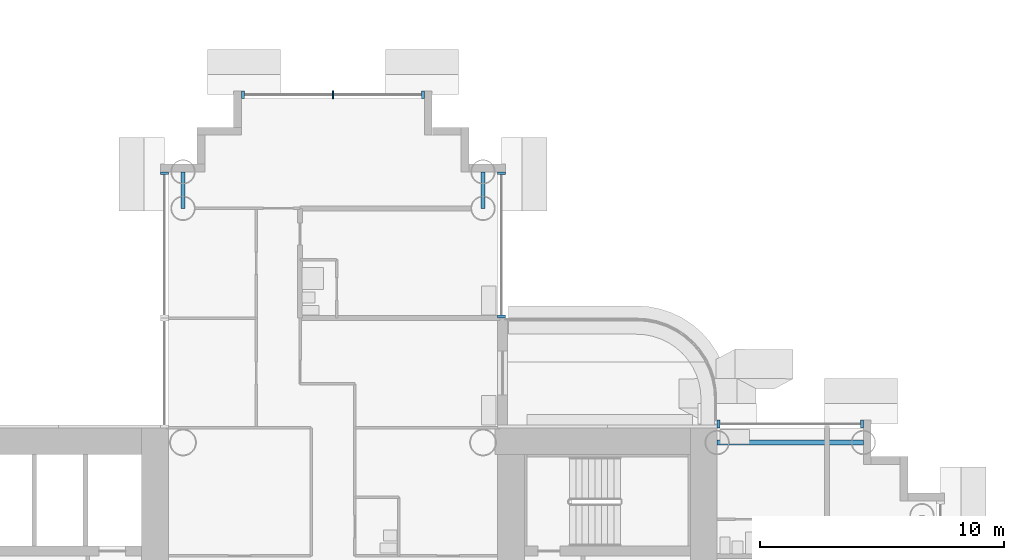
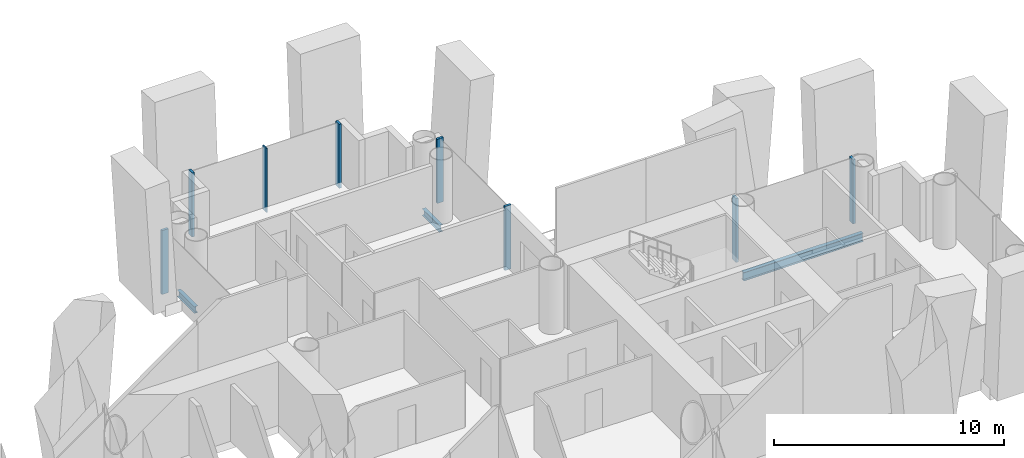
# One storey, part 5 of 23: 8 members, 3 beams, 4 elements without a shape of their own.
"""IFC4 building model written with IfcOpenShell, lengths in metres."""

from ifc_helpers import new_model, si_unit, direction, frame, origin, origin_2d, place, context, subcontext, project, spatial, rectangle, i_section, extrude, material, layer, layer_set, material_profile, profile_set, type_object, element, aggregate, save


model = new_model("IFC4")

# Units and contexts
model_context = context("Model", 3, precision=1e-05, world=origin(), true_north=direction((0.0, 1.0)))
body_context = subcontext(model_context, "Body", "Model", "MODEL_VIEW")
ifc_project = project(units=[si_unit("LENGTHUNIT", "METRE"), si_unit("AREAUNIT", "SQUARE_METRE"), si_unit("VOLUMEUNIT", "CUBIC_METRE"), si_unit("PLANEANGLEUNIT", "RADIAN"), si_unit("MASSUNIT", "GRAM", prefix="KILO")], contexts=[model_context])

# Site, building, storey
site_placement = place(None, origin())
site = spatial("IfcSite", under=ifc_project, at=site_placement, CompositionType="ELEMENT")
building_placement = place(site_placement, origin())
building = spatial("IfcBuilding", under=site, at=building_placement, Name="Ipe Terrace Towers", CompositionType="ELEMENT")
storey_placement = place(building_placement, frame((0.0, 0.0, 51.699951171875)))
storey = spatial("IfcBuildingStorey", under=building, at=storey_placement, Name="L13", CompositionType="ELEMENT", Elevation=51.699951171875)

# Beams
ifc_material_1 = material(Name="Steel S355", Category="steel")
ifc_material_profile_1 = material_profile(ifc_material_1, i_section(OverallWidth=0.175048828125, OverallDepth=0.35009765625, WebThickness=0.007080078125, FlangeThickness=0.010986328125, at=origin_2d()), Name="H-350x175x7x11")
ifc_profile_set_1 = profile_set([ifc_material_profile_1], Name="Steel S355")
beam_type_1 = type_object("IfcBeamType", Name="H04 EDGE BEAM H-350x175x7x11", PredefinedType="BEAM", material=ifc_profile_set_1)
for number, where, z_axis, x_axis, name in (
    (1, (-29.85009765625, 15.75, -0.574951171875), (0.0, 1.0, 0.0), (-1.0, 0.0, 0.0), "Edge beam T1-EB-B03-B05"),
    (2, (-42.14990234375, 15.75, -0.574951171875), (0.0, 1.0, 0.0), (-1.0, 0.0, 0.0), "Edge beam T1-EB-B04-B06"),
):
    element("IfcBeam", number, at=place(storey_placement, frame(where, z_axis=z_axis, x_axis=x_axis)), inside=storey, type_object=beam_type_1, Name=name, PredefinedType="BEAM", context=body_context, shape_type="SweptSolid", body=[
        extrude(i_section(OverallWidth=0.175048828125, OverallDepth=0.35009765625, WebThickness=0.007080078125, FlangeThickness=0.010986328125, at=origin_2d()), origin(), (0.0, 0.0, 1.0), 1.5),
    ])
ifc_material_2 = material(Name="Steel S355", Category="steel")
ifc_material_profile_2 = material_profile(ifc_material_2, i_section(OverallWidth=0.199951171875, OverallDepth=0.449951171875, WebThickness=0.009033203125, FlangeThickness=0.013916015625, at=origin_2d()), Name="H-450x200x9x14")
ifc_profile_set_2 = profile_set([ifc_material_profile_2], Name="Steel S355")
beam_type_2 = type_object("IfcBeamType", Name="H08 EDGE BEAM H-450x200x9x14", PredefinedType="BEAM", material=ifc_profile_set_2)
beam_placement = place(storey_placement, frame((-20.25, 6.14990234375, -0.625), z_axis=(1.0, 0.0, 0.0), x_axis=(0.0, 1.0, 0.0)))
element("IfcBeam", 3, at=beam_placement, inside=storey, type_object=beam_type_2, Name="Edge beam T1-EB-A02-A04", PredefinedType="BEAM", context=body_context, shape_type="SweptSolid", body=[
    extrude(i_section(OverallWidth=0.199951171875, OverallDepth=0.449951171875, WebThickness=0.009033203125, FlangeThickness=0.013916015625, at=origin_2d()), origin(), (0.0, 0.0, 1.0), 6.0),
])

# Curtain wall, members
ifc_material_3 = material(Name="Aluminium alloy 6063-T6", Category="aluminium")
ifc_layer = layer(ifc_material_3, 0.320068359375)
ifc_layer_set = layer_set([ifc_layer], Name="TOWER UNITISED CURTAIN WALL")
curtain_wall_type = type_object("IfcCurtainWallType", Name="TOWER UNITISED CURTAIN WALL", PredefinedType="NOTDEFINED", material=ifc_layer_set)
curtain_wall_1_placement = place(storey_placement, origin())
curtain_wall_1 = element("IfcCurtainWall", 4, at=curtain_wall_1_placement, inside=storey, type_object=curtain_wall_type, Name="T1-CW-L13-30a curtain wall", PredefinedType="NOTDEFINED")
ifc_material_4 = material(Name="Aluminium alloy 6063-T6", Category="aluminium")
ifc_material_profile_3 = material_profile(ifc_material_4, rectangle(XDim=0.320068359375, YDim=0.1201171875, at=origin_2d()), Name="TOWER UNITISED CORNER MULLION 320 x 120")
ifc_profile_set_3 = profile_set([ifc_material_profile_3], Name="Aluminium alloy 6063-T6")
member_type_1 = type_object("IfcMemberType", Name="TOWER UNITISED CORNER MULLION 320 x 120", PredefinedType="MULLION", material=ifc_profile_set_3)
member_1_placement = place(storey_placement, frame((-14.31005859375, 6.909912109375, -0.300048828125), z_axis=(0.0, 0.0, 1.0), x_axis=(0.0, 1.0, 0.0)))
member_1 = element("IfcMember", 5, at=member_1_placement, type_object=member_type_1, Name="T1-CW-L13-30a mullion 1", PredefinedType="MULLION", context=body_context, shape_type="SweptSolid", body=[
    extrude(rectangle(XDim=0.320068359375, YDim=0.1201171875, at=origin_2d()), origin(), (0.0, 0.0, 1.0), 3.400146484375),
])
member_2_placement = place(storey_placement, frame((-20.18896484375, 6.909912109375, -0.300048828125), z_axis=(0.0, 0.0, 1.0), x_axis=(0.0, 1.0, 0.0)))
member_2 = element("IfcMember", 6, at=member_2_placement, type_object=member_type_1, Name="T1-CW-L13-30a mullion 2", PredefinedType="MULLION", context=body_context, shape_type="SweptSolid", body=[
    extrude(rectangle(XDim=0.320068359375, YDim=0.1201171875, at=origin_2d()), origin(), (0.0, 0.0, 1.0), 3.400146484375),
])
aggregate(curtain_wall_1, [member_1, member_2])

curtain_wall_2_placement = place(storey_placement, origin())
curtain_wall_2 = element("IfcCurtainWall", 7, at=curtain_wall_2_placement, inside=storey, type_object=curtain_wall_type, Name="T1-CW-L13-33a curtain wall", PredefinedType="NOTDEFINED")
member_3_placement = place(storey_placement, frame((-29.090087890625, 11.31005859375, -0.300048828125), z_axis=(0.0, 0.0, 1.0), x_axis=(1.0, 0.0, 0.0)))
member_3 = element("IfcMember", 8, at=member_3_placement, type_object=member_type_1, Name="T1-CW-L13-33a mullion 1", PredefinedType="MULLION", context=body_context, shape_type="SweptSolid", body=[
    extrude(rectangle(XDim=0.320068359375, YDim=0.1201171875, at=origin_2d()), origin(), (0.0, 0.0, 1.0), 3.400146484375),
])
member_4_placement = place(storey_placement, frame((-29.090087890625, 17.18994140625, -0.300048828125), z_axis=(0.0, 0.0, 1.0), x_axis=(1.0, 0.0, 0.0)))
member_4 = element("IfcMember", 9, at=member_4_placement, type_object=member_type_1, Name="T1-CW-L13-33a mullion 2", PredefinedType="MULLION", context=body_context, shape_type="SweptSolid", body=[
    extrude(rectangle(XDim=0.320068359375, YDim=0.1201171875, at=origin_2d()), origin(), (0.0, 0.0, 1.0), 3.400146484375),
])
aggregate(curtain_wall_2, [member_3, member_4])

curtain_wall_3_placement = place(storey_placement, origin())
curtain_wall_3 = element("IfcCurtainWall", 10, at=curtain_wall_3_placement, inside=storey, type_object=curtain_wall_type, Name="T1-CW-L13-38a curtain wall", PredefinedType="NOTDEFINED")
member_5_placement = place(storey_placement, frame((-32.31005859375, 20.409912109375, -0.300048828125), z_axis=(0.0, 0.0, 1.0), x_axis=(0.0, 1.0, 0.0)))
member_5 = element("IfcMember", 11, at=member_5_placement, type_object=member_type_1, Name="T1-CW-L13-38a mullion 1", PredefinedType="MULLION", context=body_context, shape_type="SweptSolid", body=[
    extrude(rectangle(XDim=0.320068359375, YDim=0.1201171875, at=origin_2d()), origin(), (0.0, 0.0, 1.0), 3.400146484375),
])
member_6_placement = place(storey_placement, frame((-39.68994140625, 20.409912109375, -0.300048828125), z_axis=(0.0, 0.0, 1.0), x_axis=(0.0, 1.0, 0.0)))
member_6 = element("IfcMember", 12, at=member_6_placement, type_object=member_type_1, Name="T1-CW-L13-38a mullion 3", PredefinedType="MULLION", context=body_context, shape_type="SweptSolid", body=[
    extrude(rectangle(XDim=0.320068359375, YDim=0.1201171875, at=origin_2d()), origin(), (0.0, 0.0, 1.0), 3.400146484375),
])

# Curtain wall, member
curtain_wall_4_placement = place(storey_placement, origin())
curtain_wall_4 = element("IfcCurtainWall", 13, at=curtain_wall_4_placement, inside=storey, type_object=curtain_wall_type, Name="T1-CW-L13-43a curtain wall", PredefinedType="NOTDEFINED")
member_7_placement = place(storey_placement, frame((-42.909912109375, 17.18994140625, -0.300048828125), z_axis=(0.0, 0.0, 1.0), x_axis=(-1.0, 0.0, 0.0)))
member_7 = element("IfcMember", 14, at=member_7_placement, type_object=member_type_1, Name="T1-CW-L13-43a mullion 1", PredefinedType="MULLION", context=body_context, shape_type="SweptSolid", body=[
    extrude(rectangle(XDim=0.320068359375, YDim=0.1201171875, at=origin_2d()), origin(), (0.0, 0.0, 1.0), 3.400146484375),
])
aggregate(curtain_wall_4, [member_7])

# Member
ifc_material_5 = material(Name="Aluminium alloy 6063-T6", Category="aluminium")
ifc_material_profile_4 = material_profile(ifc_material_5, rectangle(XDim=0.320068359375, YDim=0.06494140625, at=origin_2d()), Name="TOWER UNITISED MULLION 320 x 65")
ifc_profile_set_4 = profile_set([ifc_material_profile_4], Name="Aluminium alloy 6063-T6")
member_type_2 = type_object("IfcMemberType", Name="TOWER UNITISED MULLION 320 x 65", PredefinedType="MULLION", material=ifc_profile_set_4)
member_8_placement = place(storey_placement, frame((-36.0, 20.409912109375, -0.300048828125), z_axis=(0.0, 0.0, 1.0), x_axis=(0.0, 1.0, 0.0)))
member_8 = element("IfcMember", 15, at=member_8_placement, type_object=member_type_2, Name="T1-CW-L13-38a mullion 2", PredefinedType="MULLION", context=body_context, shape_type="SweptSolid", body=[
    extrude(rectangle(XDim=0.320068359375, YDim=0.06494140625, at=origin_2d()), origin(), (0.0, 0.0, 1.0), 3.400146484375),
])

aggregate(curtain_wall_3, [member_5, member_8, member_6])

save(model, "model.ifc")
